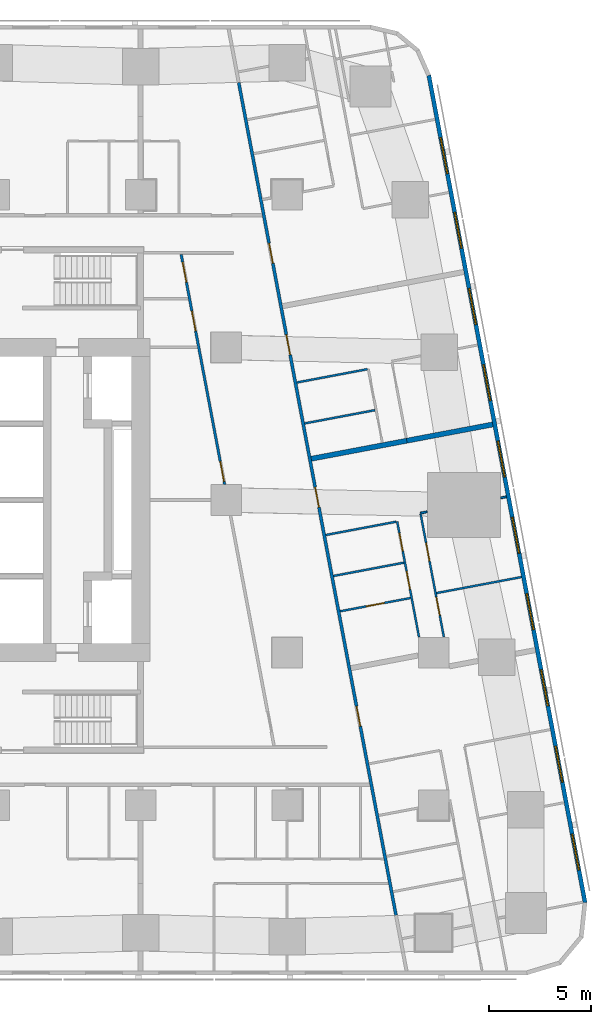
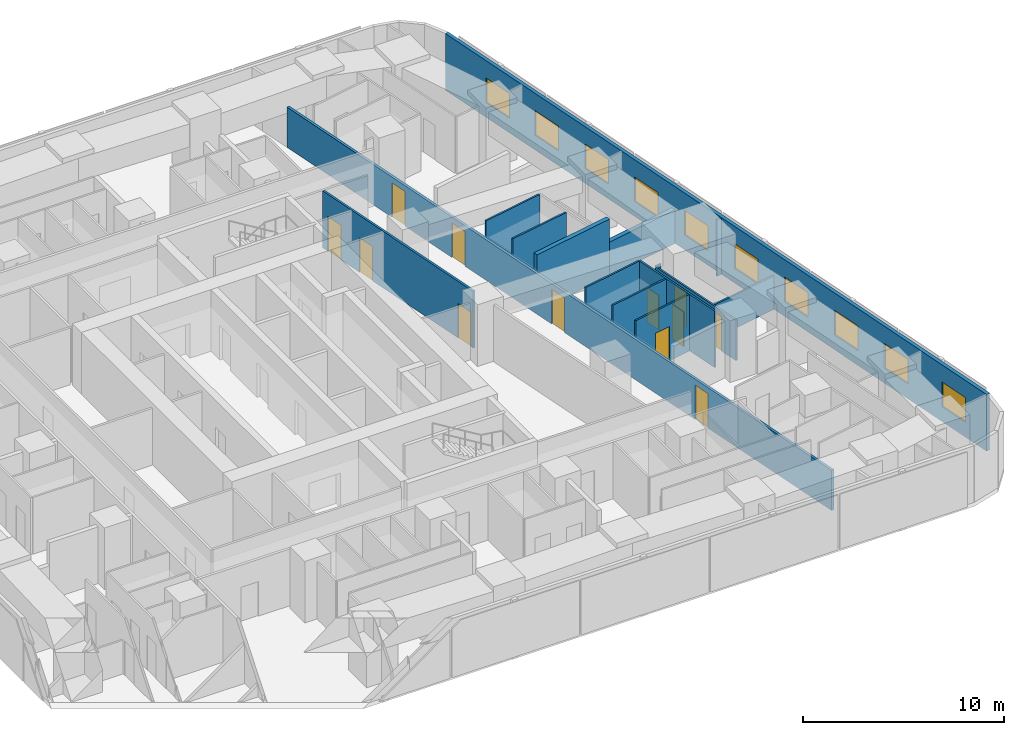
# One storey, part 7 of 15: 15 walls, 12 doors, 10 windows, 22 openings.
"""IFC4 building model written with IfcOpenShell, lengths in metres."""

from ifc_helpers import new_model, si_unit, direction, frame, frame_2d, origin, place, context, subcontext, project, spatial, rectangle, extrude, material, layer, layer_set, type_object, element, fill, save


model = new_model("IFC4")

# Units and contexts
model_context = context("Model", 3, precision=1e-05, world=origin(), true_north=direction((0.0, 1.0)))
body_context = subcontext(model_context, "Body", "Model", "MODEL_VIEW")
ifc_project = project(units=[si_unit("LENGTHUNIT", "METRE"), si_unit("AREAUNIT", "SQUARE_METRE"), si_unit("VOLUMEUNIT", "CUBIC_METRE"), si_unit("PLANEANGLEUNIT", "RADIAN"), si_unit("MASSUNIT", "GRAM", prefix="KILO")], contexts=[model_context])

# Site, building, storey
site_placement = place(None, origin())
site = spatial("IfcSite", under=ifc_project, at=site_placement, CompositionType="ELEMENT")
building_placement = place(site_placement, origin())
building = spatial("IfcBuilding", under=site, at=building_placement, Name="Sheger Commons Tower", CompositionType="ELEMENT")
storey_placement = place(building_placement, frame((0.0, 0.0, 184.550048828125)))
storey = spatial("IfcBuildingStorey", under=building, at=storey_placement, Name="L47", CompositionType="ELEMENT", Elevation=184.550048828125)

# Wall, openings, doors
ifc_material_1 = material(Name="Hollow concrete block masonry, skimmed both sides", Category="masonry")
ifc_layer_1 = layer(ifc_material_1, 0.14990234375)
ifc_layer_set_1 = layer_set([ifc_layer_1], Name="CORRIDOR WALL 150")
wall_type_1 = type_object("IfcWallType", Name="CORRIDOR WALL 150", PredefinedType="SOLIDWALL", material=ifc_layer_set_1)
wall_1_placement = place(storey_placement, frame((33.623046875, 43.02197265625, 0.0), z_axis=(0.0, 0.0, 1.0), x_axis=(0.185596841028, -0.98262597798, 0.0)))
wall_1 = element("IfcWall", 1, at=wall_1_placement, inside=storey, type_object=wall_type_1, Name="Corridor wall L47", PredefinedType="SOLIDWALL", context=body_context, shape_type="SweptSolid", body=[
    extrude(rectangle(XDim=41.659912109375, YDim=0.14990234375, at=frame_2d((20.830078125, 0.0))), origin(), (0.0, 0.0, 1.0), 2.449951171875),
])
opening_1_placement = place(wall_1_placement, frame((8.033935546875, 0.0, 0.0)))
opening_1 = element("IfcOpeningElement", 2, at=opening_1_placement, cuts=wall_1, Name="Opening D1", PredefinedType="OPENING", context=body_context, shape_type="SweptSolid", body=[
    extrude(rectangle(XDim=1.0, YDim=2.10009765625, at=frame_2d((0.5, 1.050048828125))), frame((0.0, 0.0849609375, 0.0), z_axis=(0.0, -1.0, 0.0), x_axis=(1.0, 0.0, 0.0)), (0.0, 0.0, 1.0), 0.169921875),
])
opening_2_placement = place(wall_1_placement, frame((12.611083984375, 0.0, 0.0)))
opening_2 = element("IfcOpeningElement", 3, at=opening_2_placement, cuts=wall_1, Name="Opening D1", PredefinedType="OPENING", context=body_context, shape_type="SweptSolid", body=[
    extrude(rectangle(XDim=1.0, YDim=2.10009765625, at=frame_2d((0.5, 1.050048828125))), frame((0.0, 0.0849609375, 0.0), z_axis=(0.0, -1.0, 0.0), x_axis=(1.0, 0.0, 0.0)), (0.0, 0.0, 1.0), 0.169921875),
])
opening_3_placement = place(wall_1_placement, frame((20.241943359375, 0.0, 0.0)))
opening_3 = element("IfcOpeningElement", 4, at=opening_3_placement, cuts=wall_1, Name="Opening D1", PredefinedType="OPENING", context=body_context, shape_type="SweptSolid", body=[
    extrude(rectangle(XDim=1.0, YDim=2.10009765625, at=frame_2d((0.5, 1.050048828125))), frame((0.0, 0.0849609375, 0.0), z_axis=(0.0, -1.0, 0.0), x_axis=(1.0, 0.0, 0.0)), (0.0, 0.0, 1.0), 0.169921875),
])
opening_4_placement = place(wall_1_placement, frame((31.2060546875, 0.0, 0.0)))
opening_4 = element("IfcOpeningElement", 5, at=opening_4_placement, cuts=wall_1, Name="Opening D1", PredefinedType="OPENING", context=body_context, shape_type="SweptSolid", body=[
    extrude(rectangle(XDim=1.0, YDim=2.10009765625, at=frame_2d((0.5, 1.050048828125))), frame((0.0, 0.0849609375, 0.0), z_axis=(0.0, -1.0, 0.0), x_axis=(1.0, 0.0, 0.0)), (0.0, 0.0, 1.0), 0.169921875),
])
ifc_material_2 = material(Name="Steel door set, fire rated", Category="steel")
door_type_1 = type_object("IfcDoorType", Name="FLAT ENTRANCE DOOR 1000x2100", OperationType="NOTDEFINED", PredefinedType="DOOR", material=ifc_material_2)
door_1_placement = place(opening_1_placement, origin())
door_1 = element("IfcDoor", 6, at=door_1_placement, inside=storey, type_object=door_type_1, Name="Flat entrance door", OperationType="SINGLE_SWING_RIGHT", OverallHeight=2.10009765625, OverallWidth=1.0, PredefinedType="DOOR", context=body_context, shape_type="SweptSolid", body=[
    extrude(rectangle(XDim=1.0, YDim=2.10009765625, at=frame_2d((0.5, 1.050048828125))), frame((0.0, 0.02490234375, 0.0), z_axis=(0.0, -1.0, 0.0), x_axis=(1.0, 0.0, 0.0)), (0.0, 0.0, 1.0), 0.050048828125),
])
fill(opening_1, door_1)
door_2_placement = place(opening_2_placement, origin())
door_2 = element("IfcDoor", 7, at=door_2_placement, inside=storey, type_object=door_type_1, Name="Flat entrance door", OperationType="SINGLE_SWING_RIGHT", OverallHeight=2.10009765625, OverallWidth=1.0, PredefinedType="DOOR", context=body_context, shape_type="SweptSolid", body=[
    extrude(rectangle(XDim=1.0, YDim=2.10009765625, at=frame_2d((0.5, 1.050048828125))), frame((0.0, 0.02490234375, 0.0), z_axis=(0.0, -1.0, 0.0), x_axis=(1.0, 0.0, 0.0)), (0.0, 0.0, 1.0), 0.050048828125),
])
fill(opening_2, door_2)
door_3_placement = place(opening_3_placement, origin())
door_3 = element("IfcDoor", 8, at=door_3_placement, inside=storey, type_object=door_type_1, Name="Flat entrance door", OperationType="SINGLE_SWING_RIGHT", OverallHeight=2.10009765625, OverallWidth=1.0, PredefinedType="DOOR", context=body_context, shape_type="SweptSolid", body=[
    extrude(rectangle(XDim=1.0, YDim=2.10009765625, at=frame_2d((0.5, 1.050048828125))), frame((0.0, 0.02490234375, 0.0), z_axis=(0.0, -1.0, 0.0), x_axis=(1.0, 0.0, 0.0)), (0.0, 0.0, 1.0), 0.050048828125),
])
fill(opening_3, door_3)
door_4_placement = place(opening_4_placement, origin())
door_4 = element("IfcDoor", 9, at=door_4_placement, inside=storey, type_object=door_type_1, Name="Flat entrance door", OperationType="SINGLE_SWING_LEFT", OverallHeight=2.10009765625, OverallWidth=1.0, PredefinedType="DOOR", context=body_context, shape_type="SweptSolid", body=[
    extrude(rectangle(XDim=1.0, YDim=2.10009765625, at=frame_2d((0.5, 1.050048828125))), frame((0.0, 0.02490234375, 0.0), z_axis=(0.0, -1.0, 0.0), x_axis=(1.0, 0.0, 0.0)), (0.0, 0.0, 1.0), 0.050048828125),
])
fill(opening_4, door_4)

# Walls
ifc_material_3 = material(Name="Dense concrete block masonry, plastered both sides (separating wall between flats)", Category="masonry")
ifc_layer_2 = layer(ifc_material_3, 0.25)
ifc_layer_set_2 = layer_set([ifc_layer_2], Name="DEMISING WALL 250")
wall_type_2 = type_object("IfcWallType", Name="DEMISING WALL 250", PredefinedType="SOLIDWALL", material=ifc_layer_set_2)
wall_2_placement = place(storey_placement, frame((46.110107421875, 26.212890625, 0.0), z_axis=(0.0, 0.0, 1.0), x_axis=(-0.982633535512, -0.185556823879, 0.0)))
element("IfcWall", 10, at=wall_2_placement, inside=storey, type_object=wall_type_2, Name="Demising wall L47", PredefinedType="SOLIDWALL", context=body_context, shape_type="SweptSolid", body=[
    extrude(rectangle(XDim=4.2998046875, YDim=0.25, at=frame_2d((2.14990234375, 0.0))), origin(), (0.0, 0.0, 1.0), 2.050048828125),
])
wall_3_placement = place(storey_placement, frame((41.885009765625, 25.4150390625, 0.0), z_axis=(0.0, 0.0, 1.0), x_axis=(-0.982596737686, -0.185751584349, 0.0)))
element("IfcWall", 11, at=wall_3_placement, inside=storey, type_object=wall_type_2, Name="Demising wall L47", PredefinedType="SOLIDWALL", context=body_context, shape_type="SweptSolid", body=[
    extrude(rectangle(XDim=4.77490234375, YDim=0.25, at=frame_2d((2.387451171875, 0.0))), origin(), (0.0, 0.0, 1.0), 3.449951171875),
])

# Wall, openings, windows
ifc_material_4 = material(Name="Rendered concrete block masonry, dark grey", Category="masonry")
ifc_layer_3 = layer(ifc_material_4, 0.199951171875)
ifc_layer_set_3 = layer_set([ifc_layer_3], Name="FACADE WALL 200")
wall_type_3 = type_object("IfcWallType", Name="FACADE WALL 200", PredefinedType="SOLIDWALL", material=ifc_layer_set_3)
wall_4_placement = place(storey_placement, frame((50.653076171875, 2.702880859375, 0.0), z_axis=(0.0, 0.0, 1.0), x_axis=(-0.185612026696, 0.982623109613, 0.0)))
wall_4 = element("IfcWall", 12, at=wall_4_placement, inside=storey, type_object=wall_type_3, Name="Facade wall L47", PredefinedType="SOLIDWALL", context=body_context, shape_type="SweptSolid", body=[
    extrude(rectangle(XDim=41.393310546875, YDim=0.199951171875, at=frame_2d((20.69677734375, 0.0))), origin(), (0.0, 0.0, 1.0), 3.449951171875),
])
opening_5_placement = place(wall_4_placement, frame((1.633056640625, 0.0, 0.89990234375)))
opening_5 = element("IfcOpeningElement", 13, at=opening_5_placement, cuts=wall_4, Name="Opening W2", PredefinedType="OPENING", context=body_context, shape_type="SweptSolid", body=[
    extrude(rectangle(XDim=1.800048828125, YDim=1.5, at=frame_2d((0.89990234375, 0.75))), frame((0.0, 0.10986328125, 0.0), z_axis=(0.0, -1.0, 0.0), x_axis=(1.0, 0.0, 0.0)), (0.0, 0.0, 1.0), 0.219970703125),
])
opening_6_placement = place(wall_4_placement, frame((6.031982421875, 0.0, 0.89990234375)))
opening_6 = element("IfcOpeningElement", 14, at=opening_6_placement, cuts=wall_4, Name="Opening W2", PredefinedType="OPENING", context=body_context, shape_type="SweptSolid", body=[
    extrude(rectangle(XDim=1.800048828125, YDim=1.5, at=frame_2d((0.89990234375, 0.75))), frame((0.0, 0.10986328125, 0.0), z_axis=(0.0, -1.0, 0.0), x_axis=(1.0, 0.0, 0.0)), (0.0, 0.0, 1.0), 0.219970703125),
])
opening_7_placement = place(wall_4_placement, frame((9.847900390625, 0.0, 0.89990234375)))
opening_7 = element("IfcOpeningElement", 15, at=opening_7_placement, cuts=wall_4, Name="Opening W2", PredefinedType="OPENING", context=body_context, shape_type="SweptSolid", body=[
    extrude(rectangle(XDim=1.800048828125, YDim=1.5, at=frame_2d((0.89990234375, 0.75))), frame((0.0, 0.10986328125, 0.0), z_axis=(0.0, -1.0, 0.0), x_axis=(1.0, 0.0, 0.0)), (0.0, 0.0, 1.0), 0.219970703125),
])
opening_8_placement = place(wall_4_placement, frame((13.6640625, 0.0, 0.89990234375)))
opening_8 = element("IfcOpeningElement", 16, at=opening_8_placement, cuts=wall_4, Name="Opening W2", PredefinedType="OPENING", context=body_context, shape_type="SweptSolid", body=[
    extrude(rectangle(XDim=1.800048828125, YDim=1.5, at=frame_2d((0.89990234375, 0.75))), frame((0.0, 0.10986328125, 0.0), z_axis=(0.0, -1.0, 0.0), x_axis=(1.0, 0.0, 0.0)), (0.0, 0.0, 1.0), 0.219970703125),
])
opening_9_placement = place(wall_4_placement, frame((17.48095703125, 0.0, 0.89990234375)))
opening_9 = element("IfcOpeningElement", 17, at=opening_9_placement, cuts=wall_4, Name="Opening W2", PredefinedType="OPENING", context=body_context, shape_type="SweptSolid", body=[
    extrude(rectangle(XDim=1.800048828125, YDim=1.5, at=frame_2d((0.89990234375, 0.75))), frame((0.0, 0.10986328125, 0.0), z_axis=(0.0, -1.0, 0.0), x_axis=(1.0, 0.0, 0.0)), (0.0, 0.0, 1.0), 0.219970703125),
])
opening_10_placement = place(wall_4_placement, frame((21.297119140625, 0.0, 0.89990234375)))
opening_10 = element("IfcOpeningElement", 18, at=opening_10_placement, cuts=wall_4, Name="Opening W2", PredefinedType="OPENING", context=body_context, shape_type="SweptSolid", body=[
    extrude(rectangle(XDim=1.800048828125, YDim=1.5, at=frame_2d((0.89990234375, 0.75))), frame((0.0, 0.10986328125, 0.0), z_axis=(0.0, -1.0, 0.0), x_axis=(1.0, 0.0, 0.0)), (0.0, 0.0, 1.0), 0.219970703125),
])
opening_11_placement = place(wall_4_placement, frame((25.113037109375, 0.0, 0.89990234375)))
opening_11 = element("IfcOpeningElement", 19, at=opening_11_placement, cuts=wall_4, Name="Opening W2", PredefinedType="OPENING", context=body_context, shape_type="SweptSolid", body=[
    extrude(rectangle(XDim=1.800048828125, YDim=1.5, at=frame_2d((0.89990234375, 0.75))), frame((0.0, 0.10986328125, 0.0), z_axis=(0.0, -1.0, 0.0), x_axis=(1.0, 0.0, 0.0)), (0.0, 0.0, 1.0), 0.219970703125),
])
opening_12_placement = place(wall_4_placement, frame((28.929931640625, 0.0, 0.89990234375)))
opening_12 = element("IfcOpeningElement", 20, at=opening_12_placement, cuts=wall_4, Name="Opening W2", PredefinedType="OPENING", context=body_context, shape_type="SweptSolid", body=[
    extrude(rectangle(XDim=1.800048828125, YDim=1.5, at=frame_2d((0.89990234375, 0.75))), frame((0.0, 0.10986328125, 0.0), z_axis=(0.0, -1.0, 0.0), x_axis=(1.0, 0.0, 0.0)), (0.0, 0.0, 1.0), 0.219970703125),
])
opening_13_placement = place(wall_4_placement, frame((32.74609375, 0.0, 0.89990234375)))
opening_13 = element("IfcOpeningElement", 21, at=opening_13_placement, cuts=wall_4, Name="Opening W2", PredefinedType="OPENING", context=body_context, shape_type="SweptSolid", body=[
    extrude(rectangle(XDim=1.800048828125, YDim=1.5, at=frame_2d((0.89990234375, 0.75))), frame((0.0, 0.10986328125, 0.0), z_axis=(0.0, -1.0, 0.0), x_axis=(1.0, 0.0, 0.0)), (0.0, 0.0, 1.0), 0.219970703125),
])
opening_14_placement = place(wall_4_placement, frame((36.48095703125, 0.0, 0.89990234375)))
opening_14 = element("IfcOpeningElement", 22, at=opening_14_placement, cuts=wall_4, Name="Opening W2", PredefinedType="OPENING", context=body_context, shape_type="SweptSolid", body=[
    extrude(rectangle(XDim=1.800048828125, YDim=1.5, at=frame_2d((0.89990234375, 0.75))), frame((0.0, 0.10986328125, 0.0), z_axis=(0.0, -1.0, 0.0), x_axis=(1.0, 0.0, 0.0)), (0.0, 0.0, 1.0), 0.219970703125),
])
ifc_material_5 = material(Name="Black aluminium frame, dark tinted double glazing", Category="aluminium")
window_type = type_object("IfcWindowType", Name="WINDOW W2 1800x1500", PartitioningType="SINGLE_PANEL", PredefinedType="WINDOW", material=ifc_material_5)
window_1_placement = place(opening_5_placement, origin())
window_1 = element("IfcWindow", 23, at=window_1_placement, inside=storey, type_object=window_type, Name="Window W2 1800X1500", OverallHeight=1.5, OverallWidth=1.800048828125, PartitioningType="SINGLE_PANEL", PredefinedType="WINDOW", context=body_context, shape_type="SweptSolid", body=[
    extrude(rectangle(XDim=1.800048828125, YDim=1.5, at=frame_2d((0.89990234375, 0.75))), frame((0.0, 0.030029296875, 0.0), z_axis=(0.0, -1.0, 0.0), x_axis=(1.0, 0.0, 0.0)), (0.0, 0.0, 1.0), 0.06005859375),
])
fill(opening_5, window_1)
window_2_placement = place(opening_6_placement, origin())
window_2 = element("IfcWindow", 24, at=window_2_placement, inside=storey, type_object=window_type, Name="Window W2 1800X1500", OverallHeight=1.5, OverallWidth=1.800048828125, PartitioningType="SINGLE_PANEL", PredefinedType="WINDOW", context=body_context, shape_type="SweptSolid", body=[
    extrude(rectangle(XDim=1.800048828125, YDim=1.5, at=frame_2d((0.89990234375, 0.75))), frame((0.0, 0.030029296875, 0.0), z_axis=(0.0, -1.0, 0.0), x_axis=(1.0, 0.0, 0.0)), (0.0, 0.0, 1.0), 0.06005859375),
])
fill(opening_6, window_2)
window_3_placement = place(opening_7_placement, origin())
window_3 = element("IfcWindow", 25, at=window_3_placement, inside=storey, type_object=window_type, Name="Window W2 1800X1500", OverallHeight=1.5, OverallWidth=1.800048828125, PartitioningType="SINGLE_PANEL", PredefinedType="WINDOW", context=body_context, shape_type="SweptSolid", body=[
    extrude(rectangle(XDim=1.800048828125, YDim=1.5, at=frame_2d((0.89990234375, 0.75))), frame((0.0, 0.030029296875, 0.0), z_axis=(0.0, -1.0, 0.0), x_axis=(1.0, 0.0, 0.0)), (0.0, 0.0, 1.0), 0.06005859375),
])
fill(opening_7, window_3)
window_4_placement = place(opening_8_placement, origin())
window_4 = element("IfcWindow", 26, at=window_4_placement, inside=storey, type_object=window_type, Name="Window W2 1800X1500", OverallHeight=1.5, OverallWidth=1.800048828125, PartitioningType="SINGLE_PANEL", PredefinedType="WINDOW", context=body_context, shape_type="SweptSolid", body=[
    extrude(rectangle(XDim=1.800048828125, YDim=1.5, at=frame_2d((0.89990234375, 0.75))), frame((0.0, 0.030029296875, 0.0), z_axis=(0.0, -1.0, 0.0), x_axis=(1.0, 0.0, 0.0)), (0.0, 0.0, 1.0), 0.06005859375),
])
fill(opening_8, window_4)
window_5_placement = place(opening_9_placement, origin())
window_5 = element("IfcWindow", 27, at=window_5_placement, inside=storey, type_object=window_type, Name="Window W2 1800X1500", OverallHeight=1.5, OverallWidth=1.800048828125, PartitioningType="SINGLE_PANEL", PredefinedType="WINDOW", context=body_context, shape_type="SweptSolid", body=[
    extrude(rectangle(XDim=1.800048828125, YDim=1.5, at=frame_2d((0.89990234375, 0.75))), frame((0.0, 0.030029296875, 0.0), z_axis=(0.0, -1.0, 0.0), x_axis=(1.0, 0.0, 0.0)), (0.0, 0.0, 1.0), 0.06005859375),
])
fill(opening_9, window_5)
window_6_placement = place(opening_10_placement, origin())
window_6 = element("IfcWindow", 28, at=window_6_placement, inside=storey, type_object=window_type, Name="Window W2 1800X1500", OverallHeight=1.5, OverallWidth=1.800048828125, PartitioningType="SINGLE_PANEL", PredefinedType="WINDOW", context=body_context, shape_type="SweptSolid", body=[
    extrude(rectangle(XDim=1.800048828125, YDim=1.5, at=frame_2d((0.89990234375, 0.75))), frame((0.0, 0.030029296875, 0.0), z_axis=(0.0, -1.0, 0.0), x_axis=(1.0, 0.0, 0.0)), (0.0, 0.0, 1.0), 0.06005859375),
])
fill(opening_10, window_6)
window_7_placement = place(opening_11_placement, origin())
window_7 = element("IfcWindow", 29, at=window_7_placement, inside=storey, type_object=window_type, Name="Window W2 1800X1500", OverallHeight=1.5, OverallWidth=1.800048828125, PartitioningType="SINGLE_PANEL", PredefinedType="WINDOW", context=body_context, shape_type="SweptSolid", body=[
    extrude(rectangle(XDim=1.800048828125, YDim=1.5, at=frame_2d((0.89990234375, 0.75))), frame((0.0, 0.030029296875, 0.0), z_axis=(0.0, -1.0, 0.0), x_axis=(1.0, 0.0, 0.0)), (0.0, 0.0, 1.0), 0.06005859375),
])
fill(opening_11, window_7)
window_8_placement = place(opening_12_placement, origin())
window_8 = element("IfcWindow", 30, at=window_8_placement, inside=storey, type_object=window_type, Name="Window W2 1800X1500", OverallHeight=1.5, OverallWidth=1.800048828125, PartitioningType="SINGLE_PANEL", PredefinedType="WINDOW", context=body_context, shape_type="SweptSolid", body=[
    extrude(rectangle(XDim=1.800048828125, YDim=1.5, at=frame_2d((0.89990234375, 0.75))), frame((0.0, 0.030029296875, 0.0), z_axis=(0.0, -1.0, 0.0), x_axis=(1.0, 0.0, 0.0)), (0.0, 0.0, 1.0), 0.06005859375),
])
fill(opening_12, window_8)
window_9_placement = place(opening_13_placement, origin())
window_9 = element("IfcWindow", 31, at=window_9_placement, inside=storey, type_object=window_type, Name="Window W2 1800X1500", OverallHeight=1.5, OverallWidth=1.800048828125, PartitioningType="SINGLE_PANEL", PredefinedType="WINDOW", context=body_context, shape_type="SweptSolid", body=[
    extrude(rectangle(XDim=1.800048828125, YDim=1.5, at=frame_2d((0.89990234375, 0.75))), frame((0.0, 0.030029296875, 0.0), z_axis=(0.0, -1.0, 0.0), x_axis=(1.0, 0.0, 0.0)), (0.0, 0.0, 1.0), 0.06005859375),
])
fill(opening_13, window_9)
window_10_placement = place(opening_14_placement, origin())
window_10 = element("IfcWindow", 32, at=window_10_placement, inside=storey, type_object=window_type, Name="Window W2 1800X1500", OverallHeight=1.5, OverallWidth=1.800048828125, PartitioningType="SINGLE_PANEL", PredefinedType="WINDOW", context=body_context, shape_type="SweptSolid", body=[
    extrude(rectangle(XDim=1.800048828125, YDim=1.5, at=frame_2d((0.89990234375, 0.75))), frame((0.0, 0.030029296875, 0.0), z_axis=(0.0, -1.0, 0.0), x_axis=(1.0, 0.0, 0.0)), (0.0, 0.0, 1.0), 0.06005859375),
])
fill(opening_14, window_10)

# Walls
ifc_material_6 = material(Name="Gypsum board on steel studs", Category="steel")
ifc_layer_4 = layer(ifc_material_6, 0.10009765625)
ifc_layer_set_4 = layer_set([ifc_layer_4], Name="PARTITION 100")
wall_type_4 = type_object("IfcWallType", Name="PARTITION 100", PredefinedType="PARTITIONING", material=ifc_layer_set_4)
for number, where, z_axis, x_axis, name in (
    (33, (39.947998046875, 28.93310546875, 0.0), (0.0, 0.0, 1.0), (-0.982588017646, -0.185797706064, 0.0), "Partition L47"),
    (34, (40.3291015625, 26.91796875, 0.0), (0.0, 0.0, 1.0), (-0.982638553676, -0.185530247748, 0.0), "Partition L47"),
):
    element("IfcWall", number, at=place(storey_placement, frame(where, z_axis=z_axis, x_axis=x_axis)), inside=storey, type_object=wall_type_4, Name=name, PredefinedType="PARTITIONING", context=body_context, shape_type="SweptSolid", body=[
        extrude(rectangle(XDim=3.525390625, YDim=0.10009765625, at=frame_2d((1.7626953125, 0.0))), origin(), (0.0, 0.0, 1.0), 3.449951171875),
    ])

# Wall, openings, doors
wall_5_placement = place(storey_placement, frame((42.56591796875, 21.80908203125, 0.0), z_axis=(0.0, 0.0, 1.0), x_axis=(0.185679528947, -0.982610356413, 0.0)))
wall_5 = element("IfcWall", 35, at=wall_5_placement, inside=storey, type_object=wall_type_4, Name="Partition L47", PredefinedType="PARTITIONING", context=body_context, shape_type="SweptSolid", body=[
    extrude(rectangle(XDim=6.156005859375, YDim=0.10009765625, at=frame_2d((3.078125, 0.0))), origin(), (0.0, 0.0, 1.0), 2.449951171875),
])
opening_15_placement = place(wall_5_placement, frame((1.449951171875, 0.0, 0.0)))
opening_15 = element("IfcOpeningElement", 36, at=opening_15_placement, cuts=wall_5, Name="Opening D2", PredefinedType="OPENING", context=body_context, shape_type="SweptSolid", body=[
    extrude(rectangle(XDim=0.89990234375, YDim=2.10009765625, at=frame_2d((0.449951171875, 1.050048828125))), frame((0.0, 0.06005859375, 0.0), z_axis=(0.0, -1.0, 0.0), x_axis=(1.0, 0.0, 0.0)), (0.0, 0.0, 1.0), 0.1201171875),
])
opening_16_placement = place(wall_5_placement, frame((4.1630859375, 0.0, 0.0)))
opening_16 = element("IfcOpeningElement", 37, at=opening_16_placement, cuts=wall_5, Name="Opening D2", PredefinedType="OPENING", context=body_context, shape_type="SweptSolid", body=[
    extrude(rectangle(XDim=0.89990234375, YDim=2.10009765625, at=frame_2d((0.449951171875, 1.050048828125))), frame((0.0, 0.06005859375, 0.0), z_axis=(0.0, -1.0, 0.0), x_axis=(1.0, 0.0, 0.0)), (0.0, 0.0, 1.0), 0.1201171875),
])
ifc_material_7 = material(Name="Timber door set", Category="wood")
door_type_2 = type_object("IfcDoorType", Name="INTERNAL DOOR 900x2100", OperationType="NOTDEFINED", PredefinedType="DOOR", material=ifc_material_7)
door_5_placement = place(opening_15_placement, origin())
door_5 = element("IfcDoor", 38, at=door_5_placement, inside=storey, type_object=door_type_2, Name="Main bedroom door", OperationType="SINGLE_SWING_LEFT", OverallHeight=2.10009765625, OverallWidth=0.89990234375, PredefinedType="DOOR", context=body_context, shape_type="SweptSolid", body=[
    extrude(rectangle(XDim=0.89990234375, YDim=2.10009765625, at=frame_2d((0.449951171875, 1.050048828125))), frame((0.0, 0.02490234375, 0.0), z_axis=(0.0, -1.0, 0.0), x_axis=(1.0, 0.0, 0.0)), (0.0, 0.0, 1.0), 0.050048828125),
])
fill(opening_15, door_5)
door_6_placement = place(opening_16_placement, origin())
door_6 = element("IfcDoor", 39, at=door_6_placement, inside=storey, type_object=door_type_2, Name="Bedroom 2 door", OperationType="SINGLE_SWING_LEFT", OverallHeight=2.10009765625, OverallWidth=0.89990234375, PredefinedType="DOOR", context=body_context, shape_type="SweptSolid", body=[
    extrude(rectangle(XDim=0.89990234375, YDim=2.10009765625, at=frame_2d((0.449951171875, 1.050048828125))), frame((0.0, 0.02490234375, 0.0), z_axis=(0.0, -1.0, 0.0), x_axis=(1.0, 0.0, 0.0)), (0.0, 0.0, 1.0), 0.050048828125),
])
fill(opening_16, door_6)

wall_6_placement = place(storey_placement, frame((41.4140625, 21.44189453125, 0.0), z_axis=(0.0, 0.0, 1.0), x_axis=(0.185666997732, -0.982612724299, 0.0)))
wall_6 = element("IfcWall", 40, at=wall_6_placement, inside=storey, type_object=wall_type_4, Name="Partition L47", PredefinedType="PARTITIONING", context=body_context, shape_type="SweptSolid", body=[
    extrude(rectangle(XDim=5.784423828125, YDim=0.10009765625, at=frame_2d((2.89208984375, 0.0))), origin(), (0.0, 0.0, 1.0), 3.449951171875),
])
opening_17_placement = place(wall_6_placement, frame((0.574951171875, 0.0, 0.0)))
opening_17 = element("IfcOpeningElement", 41, at=opening_17_placement, cuts=wall_6, Name="Opening D2", PredefinedType="OPENING", context=body_context, shape_type="SweptSolid", body=[
    extrude(rectangle(XDim=0.89990234375, YDim=2.10009765625, at=frame_2d((0.449951171875, 1.050048828125))), frame((0.0, 0.06005859375, 0.0), z_axis=(0.0, -1.0, 0.0), x_axis=(1.0, 0.0, 0.0)), (0.0, 0.0, 1.0), 0.1201171875),
])
opening_18_placement = place(wall_6_placement, frame((2.48291015625, 0.0, 0.0)))
opening_18 = element("IfcOpeningElement", 42, at=opening_18_placement, cuts=wall_6, Name="Opening D2", PredefinedType="OPENING", context=body_context, shape_type="SweptSolid", body=[
    extrude(rectangle(XDim=0.89990234375, YDim=2.10009765625, at=frame_2d((0.449951171875, 1.050048828125))), frame((0.0, 0.06005859375, 0.0), z_axis=(0.0, -1.0, 0.0), x_axis=(1.0, 0.0, 0.0)), (0.0, 0.0, 1.0), 0.1201171875),
])
door_7_placement = place(opening_17_placement, origin())
door_7 = element("IfcDoor", 43, at=door_7_placement, inside=storey, type_object=door_type_2, Name="Bathroom door", OperationType="SINGLE_SWING_RIGHT", OverallHeight=2.10009765625, OverallWidth=0.89990234375, PredefinedType="DOOR", context=body_context, shape_type="SweptSolid", body=[
    extrude(rectangle(XDim=0.89990234375, YDim=2.10009765625, at=frame_2d((0.449951171875, 1.050048828125))), frame((0.0, 0.02490234375, 0.0), z_axis=(0.0, -1.0, 0.0), x_axis=(1.0, 0.0, 0.0)), (0.0, 0.0, 1.0), 0.050048828125),
])
fill(opening_17, door_7)
door_8_placement = place(opening_18_placement, origin())
door_8 = element("IfcDoor", 44, at=door_8_placement, inside=storey, type_object=door_type_2, Name="Store door", OperationType="SINGLE_SWING_RIGHT", OverallHeight=2.10009765625, OverallWidth=0.89990234375, PredefinedType="DOOR", context=body_context, shape_type="SweptSolid", body=[
    extrude(rectangle(XDim=0.89990234375, YDim=2.10009765625, at=frame_2d((0.449951171875, 1.050048828125))), frame((0.0, 0.02490234375, 0.0), z_axis=(0.0, -1.0, 0.0), x_axis=(1.0, 0.0, 0.0)), (0.0, 0.0, 1.0), 0.050048828125),
])
fill(opening_18, door_8)

# Walls
wall_7_placement = place(storey_placement, frame((46.781982421875, 22.656982421875, 0.0), z_axis=(0.0, 0.0, 1.0), x_axis=(-0.982574553168, -0.185868898601, 0.0)))
element("IfcWall", 45, at=wall_7_placement, inside=storey, type_object=wall_type_4, Name="Partition L47", PredefinedType="PARTITIONING", context=body_context, shape_type="SweptSolid", body=[
    extrude(rectangle(XDim=0.27978515625, YDim=0.10009765625, at=frame_2d((0.139892578125, 0.0))), origin(), (0.0, 0.0, 1.0), 3.449951171875),
])
wall_8_placement = place(storey_placement, frame((42.886962890625, 21.9208984375, 0.0), z_axis=(0.0, 0.0, 1.0), x_axis=(-0.982274918032, -0.187445953293, 0.0)))
element("IfcWall", 46, at=wall_8_placement, inside=storey, type_object=wall_type_4, Name="Partition L47", PredefinedType="PARTITIONING", context=body_context, shape_type="SweptSolid", body=[
    extrude(rectangle(XDim=0.3359375, YDim=0.10009765625, at=frame_2d((0.16796875, 0.0))), origin(), (0.0, 0.0, 1.0), 2.449951171875),
])
wall_9_placement = place(storey_placement, frame((47.527099609375, 18.7119140625, 0.0), z_axis=(0.0, 0.0, 1.0), x_axis=(-0.982665405803, -0.185387972203, 0.0)))
element("IfcWall", 47, at=wall_9_placement, inside=storey, type_object=wall_type_4, Name="Partition L47", PredefinedType="PARTITIONING", context=body_context, shape_type="SweptSolid", body=[
    extrude(rectangle(XDim=4.249755859375, YDim=0.10009765625, at=frame_2d((2.125, 0.0))), origin(), (0.0, 0.0, 1.0), 2.050048828125),
])
wall_10_placement = place(storey_placement, frame((41.364990234375, 21.43310546875, 0.0), z_axis=(0.0, 0.0, 1.0), x_axis=(-0.982638553676, -0.185530247748, 0.0)))
element("IfcWall", 48, at=wall_10_placement, inside=storey, type_object=wall_type_4, Name="Partition L47", PredefinedType="PARTITIONING", context=body_context, shape_type="SweptSolid", body=[
    extrude(rectangle(XDim=3.525390625, YDim=0.10009765625, at=frame_2d((1.7626953125, 0.0))), origin(), (0.0, 0.0, 1.0), 3.449951171875),
])

# Wall, opening, door
wall_11_placement = place(storey_placement, frame((42.072998046875, 17.681884765625, 0.0), z_axis=(0.0, 0.0, 1.0), x_axis=(-0.98265117712, -0.185463376723, 0.0)))
wall_11 = element("IfcWall", 49, at=wall_11_placement, inside=storey, type_object=wall_type_4, Name="Partition L47", PredefinedType="PARTITIONING", context=body_context, shape_type="SweptSolid", body=[
    extrude(rectangle(XDim=3.525390625, YDim=0.10009765625, at=frame_2d((1.7626953125, 0.0))), origin(), (0.0, 0.0, 1.0), 3.449951171875),
])
opening_19_placement = place(wall_11_placement, frame((1.324951171875, 0.0, 0.0)))
opening_19 = element("IfcOpeningElement", 50, at=opening_19_placement, cuts=wall_11, Name="Opening D2", PredefinedType="OPENING", context=body_context, shape_type="SweptSolid", body=[
    extrude(rectangle(XDim=0.89990234375, YDim=2.10009765625, at=frame_2d((0.449951171875, 1.050048828125))), frame((0.0, 0.06005859375, 0.0), z_axis=(0.0, -1.0, 0.0), x_axis=(1.0, 0.0, 0.0)), (0.0, 0.0, 1.0), 0.1201171875),
])
door_9_placement = place(opening_19_placement, origin())
door_9 = element("IfcDoor", 51, at=door_9_placement, inside=storey, type_object=door_type_2, Name="Store door", OperationType="SINGLE_SWING_RIGHT", OverallHeight=2.10009765625, OverallWidth=0.89990234375, PredefinedType="DOOR", context=body_context, shape_type="SweptSolid", body=[
    extrude(rectangle(XDim=0.89990234375, YDim=2.10009765625, at=frame_2d((0.449951171875, 1.050048828125))), frame((0.0, 0.02490234375, 0.0), z_axis=(0.0, -1.0, 0.0), x_axis=(1.0, 0.0, 0.0)), (0.0, 0.0, 1.0), 0.050048828125),
])
fill(opening_19, door_9)

# Wall
wall_12_placement = place(storey_placement, frame((41.7451171875, 19.41796875, 0.0), z_axis=(0.0, 0.0, 1.0), x_axis=(-0.982638553676, -0.185530247748, 0.0)))
element("IfcWall", 52, at=wall_12_placement, inside=storey, type_object=wall_type_4, Name="Partition L47", PredefinedType="PARTITIONING", context=body_context, shape_type="SweptSolid", body=[
    extrude(rectangle(XDim=3.525390625, YDim=0.10009765625, at=frame_2d((1.7626953125, 0.0))), origin(), (0.0, 0.0, 1.0), 3.449951171875),
])

# Wall, openings, doors
ifc_material_8 = material(Name="Gypsum board on steel studs, two layers each side, fire rated", Category="steel")
ifc_layer_5 = layer(ifc_material_8, 0.125)
ifc_layer_set_5 = layer_set([ifc_layer_5], Name="SERVICE WALL 125")
wall_type_5 = type_object("IfcWallType", Name="SERVICE WALL 125", PredefinedType="PARTITIONING", material=ifc_layer_set_5)
wall_13_placement = place(storey_placement, frame((32.928955078125, 23.262939453125, 0.0), z_axis=(0.0, 0.0, 1.0), x_axis=(-0.185612234763, 0.982623070311, 0.0)))
wall_13 = element("IfcWall", 53, at=wall_13_placement, inside=storey, type_object=wall_type_5, Name="Service room wall L47", PredefinedType="PARTITIONING", context=body_context, shape_type="SweptSolid", body=[
    extrude(rectangle(XDim=11.512939453125, YDim=0.125, at=frame_2d((5.75634765625, 0.0))), origin(), (0.0, 0.0, 1.0), 3.449951171875),
])
opening_20_placement = place(wall_13_placement, frame((0.14990234375, 0.0, 0.0)))
opening_20 = element("IfcOpeningElement", 54, at=opening_20_placement, cuts=wall_13, Name="Opening D4", PredefinedType="OPENING", context=body_context, shape_type="SweptSolid", body=[
    extrude(rectangle(XDim=1.0, YDim=2.10009765625, at=frame_2d((0.5, 1.050048828125))), frame((0.0, 0.072509765625, 0.0), z_axis=(0.0, -1.0, 0.0), x_axis=(1.0, 0.0, 0.0)), (0.0, 0.0, 1.0), 0.14501953125),
])
opening_21_placement = place(wall_13_placement, frame((7.678955078125, 0.0, 0.0)))
opening_21 = element("IfcOpeningElement", 55, at=opening_21_placement, cuts=wall_13, Name="Opening D4", PredefinedType="OPENING", context=body_context, shape_type="SweptSolid", body=[
    extrude(rectangle(XDim=1.0, YDim=2.10009765625, at=frame_2d((0.5, 1.050048828125))), frame((0.0, 0.072509765625, 0.0), z_axis=(0.0, -1.0, 0.0), x_axis=(1.0, 0.0, 0.0)), (0.0, 0.0, 1.0), 0.14501953125),
])
opening_22_placement = place(wall_13_placement, frame((10.1220703125, 0.0, 0.0)))
opening_22 = element("IfcOpeningElement", 56, at=opening_22_placement, cuts=wall_13, Name="Opening D4", PredefinedType="OPENING", context=body_context, shape_type="SweptSolid", body=[
    extrude(rectangle(XDim=1.0, YDim=2.10009765625, at=frame_2d((0.5, 1.050048828125))), frame((0.0, 0.072509765625, 0.0), z_axis=(0.0, -1.0, 0.0), x_axis=(1.0, 0.0, 0.0)), (0.0, 0.0, 1.0), 0.14501953125),
])
ifc_material_9 = material(Name="Steel door set, fire rated", Category="steel")
door_type_3 = type_object("IfcDoorType", Name="SERVICE DOOR 1000x2100", OperationType="NOTDEFINED", PredefinedType="DOOR", material=ifc_material_9)
door_10_placement = place(opening_20_placement, origin())
door_10 = element("IfcDoor", 57, at=door_10_placement, inside=storey, type_object=door_type_3, Name="Residents' meeting room door", OperationType="SINGLE_SWING_LEFT", OverallHeight=2.10009765625, OverallWidth=1.0, PredefinedType="DOOR", context=body_context, shape_type="SweptSolid", body=[
    extrude(rectangle(XDim=1.0, YDim=2.10009765625, at=frame_2d((0.5, 1.050048828125))), frame((0.0, 0.02490234375, 0.0), z_axis=(0.0, -1.0, 0.0), x_axis=(1.0, 0.0, 0.0)), (0.0, 0.0, 1.0), 0.050048828125),
])
fill(opening_20, door_10)
door_11_placement = place(opening_21_placement, origin())
door_11 = element("IfcDoor", 58, at=door_11_placement, inside=storey, type_object=door_type_3, Name="Residents' store door", OperationType="SINGLE_SWING_RIGHT", OverallHeight=2.10009765625, OverallWidth=1.0, PredefinedType="DOOR", context=body_context, shape_type="SweptSolid", body=[
    extrude(rectangle(XDim=1.0, YDim=2.10009765625, at=frame_2d((0.5, 1.050048828125))), frame((0.0, 0.02490234375, 0.0), z_axis=(0.0, -1.0, 0.0), x_axis=(1.0, 0.0, 0.0)), (0.0, 0.0, 1.0), 0.050048828125),
])
fill(opening_21, door_11)
door_12_placement = place(opening_22_placement, origin())
door_12 = element("IfcDoor", 59, at=door_12_placement, inside=storey, type_object=door_type_3, Name="Caretaker's store door", OperationType="SINGLE_SWING_RIGHT", OverallHeight=2.10009765625, OverallWidth=1.0, PredefinedType="DOOR", context=body_context, shape_type="SweptSolid", body=[
    extrude(rectangle(XDim=1.0, YDim=2.10009765625, at=frame_2d((0.5, 1.050048828125))), frame((0.0, 0.02490234375, 0.0), z_axis=(0.0, -1.0, 0.0), x_axis=(1.0, 0.0, 0.0)), (0.0, 0.0, 1.0), 0.050048828125),
])
fill(opening_22, door_12)

save(model, "model.ifc")
